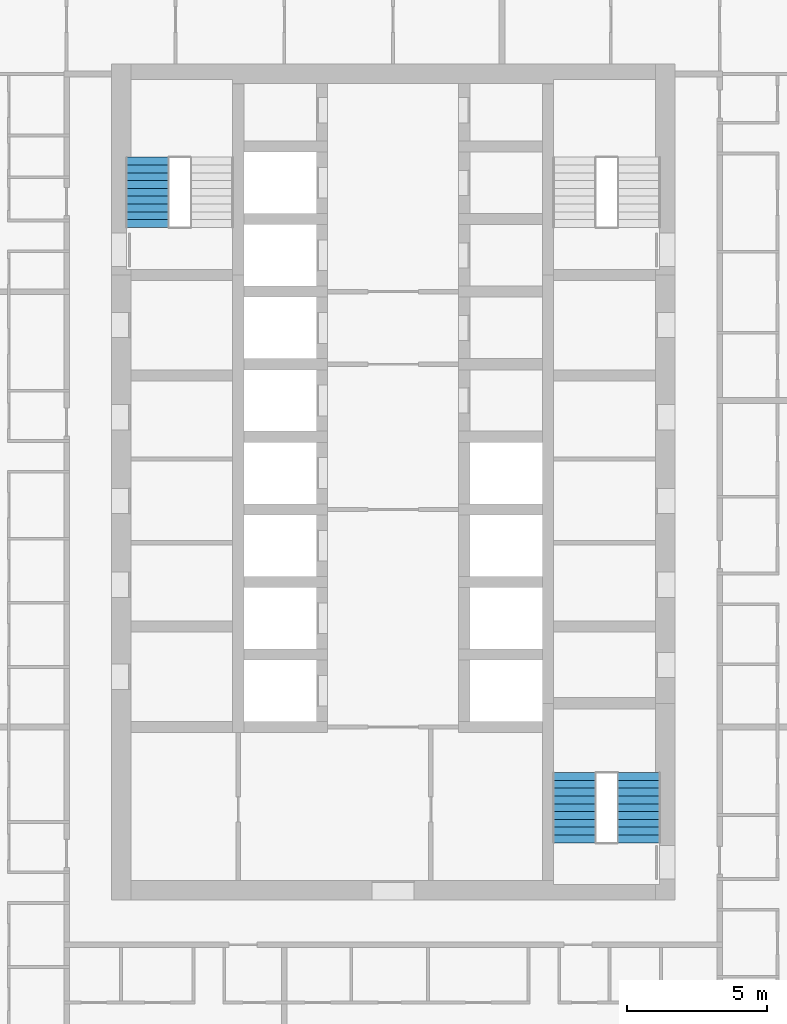
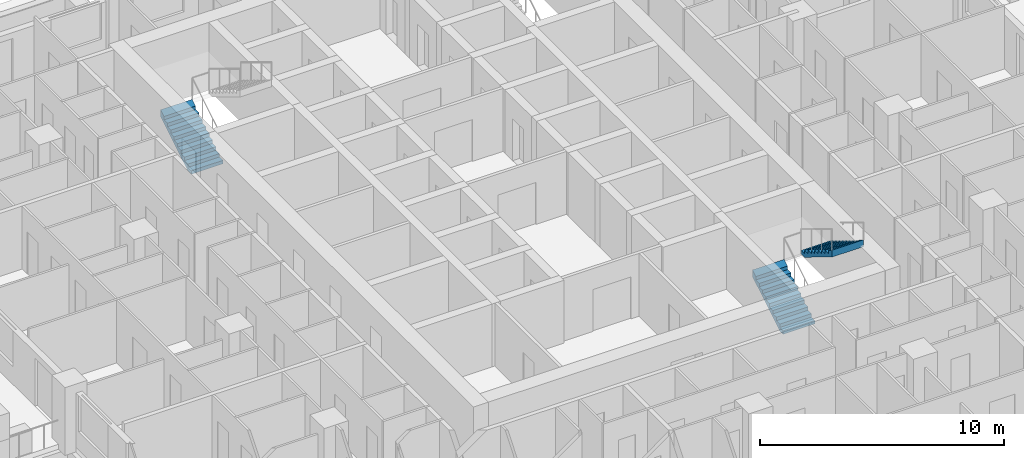
# One storey, part 15 of 19: 3 stair flights, 2 elements without a shape of their own.
"""IFC4 building model written with IfcOpenShell, lengths in metres."""

from ifc_helpers import new_model, si_unit, direction, frame, origin, place, context, subcontext, project, spatial, triangles, material, type_object, element, aggregate, save


model = new_model("IFC4")

# Units and contexts
model_context = context("Model", 3, precision=1e-05, world=origin(), true_north=direction((0.0, 1.0)))
body_context = subcontext(model_context, "Body", "Model", "MODEL_VIEW")
ifc_project = project(units=[si_unit("LENGTHUNIT", "METRE"), si_unit("AREAUNIT", "SQUARE_METRE"), si_unit("VOLUMEUNIT", "CUBIC_METRE"), si_unit("PLANEANGLEUNIT", "RADIAN"), si_unit("MASSUNIT", "GRAM", prefix="KILO")], contexts=[model_context])

# Site, building, storey
site_placement = place(None, origin())
site = spatial("IfcSite", under=ifc_project, at=site_placement, CompositionType="ELEMENT")
building_placement = place(site_placement, origin())
building = spatial("IfcBuilding", under=site, at=building_placement, Name="Ludao Terraces", CompositionType="ELEMENT")
storey_placement = place(building_placement, frame((0.0, 0.0, 36.5)))
storey = spatial("IfcBuildingStorey", under=building, at=storey_placement, Name="L09", CompositionType="ELEMENT", Elevation=36.5)

# Stair, stair flight
ifc_material = material(Name="Concrete C40", Category="concrete")
stair_type = type_object("IfcStairType", Name="INT Stair", PredefinedType="HALF_TURN_STAIR", material=ifc_material)
stair_1_placement = place(storey_placement, origin())
stair_1 = element("IfcStair", 1, at=stair_1_placement, inside=storey, type_object=stair_type, Name="EXIT STAIR 1", PredefinedType="HALF_TURN_STAIR")
stair_flight_type = type_object("IfcStairFlightType", Name="INT Stair flight", PredefinedType="STRAIGHT", material=ifc_material)
stair_flight_1_placement = place(storey_placement, frame((76.199951171875, 79.0, 0.0), z_axis=(0.0, 0.0, 1.0), x_axis=(0.0, 1.0, 0.0)))
stair_flight_1 = element("IfcStairFlight", 2, at=stair_flight_1_placement, type_object=stair_flight_type, Name="ST1 flight 1", NumberOfRisers=10, NumberOfTreads=9, PredefinedType="STRAIGHT", RiserHeight=0.17, TreadLength=0.28, context=body_context, shape_type="Tessellation", body=[
    triangles([(0.0, -0.75, 0.0), (0.0, -0.5, 0.0), (0.0, -0.25, 0.0), (0.0, 0.0, 0.0), (0.0, 0.25, 0.0), (0.0, 0.5, 0.0), (0.0, 0.75, 0.0), (0.0, -0.75, 0.169921875), (0.0, -0.5, 0.169921875), (0.0, -0.25, 0.169921875), (0.0, 0.0, 0.169921875), (0.0, 0.25, 0.169921875), (0.0, 0.5, 0.169921875), (0.0, 0.75, 0.169921875), (0.280029296875, -0.75, 0.169921875), (0.280029296875, -0.5, 0.169921875), (0.280029296875, -0.25, 0.169921875), (0.280029296875, 0.0, 0.169921875), (0.280029296875, 0.25, 0.169921875), (0.280029296875, 0.5, 0.169921875), (0.280029296875, 0.75, 0.169921875), (0.280029296875, -0.75, 0.340087890625), (0.280029296875, -0.5, 0.340087890625), (0.280029296875, -0.25, 0.340087890625), (0.280029296875, 0.0, 0.340087890625), (0.280029296875, 0.25, 0.340087890625), (0.280029296875, 0.5, 0.340087890625), (0.280029296875, 0.75, 0.340087890625), (0.56005859375, -0.75, 0.340087890625), (0.56005859375, -0.5, 0.340087890625), (0.56005859375, -0.25, 0.340087890625), (0.56005859375, 0.0, 0.340087890625), (0.56005859375, 0.25, 0.340087890625), (0.56005859375, 0.5, 0.340087890625), (0.56005859375, 0.75, 0.340087890625), (0.56005859375, -0.75, 0.510009765625), (0.56005859375, -0.5, 0.510009765625), (0.56005859375, -0.25, 0.510009765625), (0.56005859375, 0.0, 0.510009765625), (0.56005859375, 0.25, 0.510009765625), (0.56005859375, 0.5, 0.510009765625), (0.56005859375, 0.75, 0.510009765625), (0.840087890625, -0.75, 0.510009765625), (0.840087890625, -0.5, 0.510009765625), (0.840087890625, -0.25, 0.510009765625), (0.840087890625, 0.0, 0.510009765625), (0.840087890625, 0.25, 0.510009765625), (0.840087890625, 0.5, 0.510009765625), (0.840087890625, 0.75, 0.510009765625), (0.840087890625, -0.75, 0.679931640625), (0.840087890625, -0.5, 0.679931640625), (0.840087890625, -0.25, 0.679931640625), (0.840087890625, 0.0, 0.679931640625), (0.840087890625, 0.25, 0.679931640625), (0.840087890625, 0.5, 0.679931640625), (0.840087890625, 0.75, 0.679931640625), (1.1201171875, -0.75, 0.679931640625), (1.1201171875, -0.5, 0.679931640625), (1.1201171875, -0.25, 0.679931640625), (1.1201171875, 0.0, 0.679931640625), (1.1201171875, 0.25, 0.679931640625), (1.1201171875, 0.5, 0.679931640625), (1.1201171875, 0.75, 0.679931640625), (1.1201171875, -0.75, 0.85009765625), (1.1201171875, -0.5, 0.85009765625), (1.1201171875, -0.25, 0.85009765625), (1.1201171875, 0.0, 0.85009765625), (1.1201171875, 0.25, 0.85009765625), (1.1201171875, 0.5, 0.85009765625), (1.1201171875, 0.75, 0.85009765625), (1.39990234375, -0.75, 0.85009765625), (1.39990234375, -0.5, 0.85009765625), (1.39990234375, -0.25, 0.85009765625), (1.39990234375, 0.0, 0.85009765625), (1.39990234375, 0.25, 0.85009765625), (1.39990234375, 0.5, 0.85009765625), (1.39990234375, 0.75, 0.85009765625), (1.39990234375, -0.75, 1.02001953125), (1.39990234375, -0.5, 1.02001953125), (1.39990234375, -0.25, 1.02001953125), (1.39990234375, 0.0, 1.02001953125), (1.39990234375, 0.25, 1.02001953125), (1.39990234375, 0.5, 1.02001953125), (1.39990234375, 0.75, 1.02001953125), (1.679931640625, -0.75, 1.02001953125), (1.679931640625, -0.5, 1.02001953125), (1.679931640625, -0.25, 1.02001953125), (1.679931640625, 0.0, 1.02001953125), (1.679931640625, 0.25, 1.02001953125), (1.679931640625, 0.5, 1.02001953125), (1.679931640625, 0.75, 1.02001953125), (1.679931640625, -0.75, 1.18994140625), (1.679931640625, -0.5, 1.18994140625), (1.679931640625, -0.25, 1.18994140625), (1.679931640625, 0.0, 1.18994140625), (1.679931640625, 0.25, 1.18994140625), (1.679931640625, 0.5, 1.18994140625), (1.679931640625, 0.75, 1.18994140625), (1.9599609375, -0.75, 1.18994140625), (1.9599609375, -0.5, 1.18994140625), (1.9599609375, -0.25, 1.18994140625), (1.9599609375, 0.0, 1.18994140625), (1.9599609375, 0.25, 1.18994140625), (1.9599609375, 0.5, 1.18994140625), (1.9599609375, 0.75, 1.18994140625), (1.9599609375, -0.75, 1.360107421875), (1.9599609375, -0.5, 1.360107421875), (1.9599609375, -0.25, 1.360107421875), (1.9599609375, 0.0, 1.360107421875), (1.9599609375, 0.25, 1.360107421875), (1.9599609375, 0.5, 1.360107421875), (1.9599609375, 0.75, 1.360107421875), (2.239990234375, -0.75, 1.360107421875), (2.239990234375, -0.5, 1.360107421875), (2.239990234375, -0.25, 1.360107421875), (2.239990234375, 0.0, 1.360107421875), (2.239990234375, 0.25, 1.360107421875), (2.239990234375, 0.5, 1.360107421875), (2.239990234375, 0.75, 1.360107421875), (2.239990234375, -0.75, 1.530029296875), (2.239990234375, -0.5, 1.530029296875), (2.239990234375, -0.25, 1.530029296875), (2.239990234375, 0.0, 1.530029296875), (2.239990234375, 0.25, 1.530029296875), (2.239990234375, 0.5, 1.530029296875), (2.239990234375, 0.75, 1.530029296875), (2.52001953125, -0.75, 1.699951171875), (2.52001953125, -0.5, 1.699951171875), (2.52001953125, -0.25, 1.699951171875), (2.52001953125, 0.0, 1.699951171875), (2.52001953125, 0.25, 1.699951171875), (2.52001953125, 0.5, 1.699951171875), (2.52001953125, 0.75, 1.699951171875), (2.52001953125, -0.75, 1.354736328125), (2.52001953125, -0.5, 1.354736328125), (2.52001953125, -0.25, 1.354736328125), (2.52001953125, 0.0, 1.354736328125), (2.52001953125, 0.25, 1.354736328125), (2.52001953125, 0.5, 1.354736328125), (2.52001953125, 0.75, 1.354736328125), (0.288818359375, -0.75, 0.0), (0.288818359375, -0.5, 0.0), (0.288818359375, -0.25, 0.0), (0.288818359375, 0.0, 0.0), (0.288818359375, 0.25, 0.0), (0.288818359375, 0.5, 0.0), (0.288818359375, 0.75, 0.0)], [[1, 141, 134], [7, 140, 147], [134, 127, 120], [140, 126, 133], [134, 120, 113], [140, 119, 126], [134, 113, 106], [140, 112, 119], [134, 106, 99], [140, 105, 112], [99, 92, 85], [105, 91, 98], [134, 99, 85], [140, 91, 105], [85, 78, 71], [91, 77, 84], [134, 85, 71], [140, 77, 91], [71, 64, 57], [77, 63, 70], [134, 71, 57], [140, 63, 77], [57, 50, 43], [63, 49, 56], [134, 57, 43], [140, 49, 63], [43, 36, 29], [49, 35, 42], [134, 43, 29], [140, 35, 49], [29, 22, 15], [35, 21, 28], [134, 29, 15], [140, 21, 35], [1, 134, 15], [7, 21, 140], [15, 8, 1], [21, 7, 14], [1, 9, 2], [1, 8, 9], [2, 10, 3], [2, 9, 10], [3, 11, 4], [3, 10, 11], [4, 12, 5], [4, 11, 12], [5, 13, 6], [5, 12, 13], [6, 14, 7], [6, 13, 14], [8, 16, 9], [8, 15, 16], [9, 17, 10], [9, 16, 17], [10, 18, 11], [10, 17, 18], [11, 19, 12], [11, 18, 19], [12, 20, 13], [12, 19, 20], [13, 21, 14], [13, 20, 21], [15, 23, 16], [15, 22, 23], [16, 24, 17], [16, 23, 24], [17, 25, 18], [17, 24, 25], [18, 26, 19], [18, 25, 26], [19, 27, 20], [19, 26, 27], [20, 28, 21], [20, 27, 28], [22, 30, 23], [22, 29, 30], [23, 31, 24], [23, 30, 31], [24, 32, 25], [24, 31, 32], [25, 33, 26], [25, 32, 33], [26, 34, 27], [26, 33, 34], [27, 35, 28], [27, 34, 35], [29, 37, 30], [29, 36, 37], [30, 38, 31], [30, 37, 38], [31, 39, 32], [31, 38, 39], [32, 40, 33], [32, 39, 40], [33, 41, 34], [33, 40, 41], [34, 42, 35], [34, 41, 42], [36, 44, 37], [36, 43, 44], [37, 45, 38], [37, 44, 45], [38, 46, 39], [38, 45, 46], [39, 47, 40], [39, 46, 47], [40, 48, 41], [40, 47, 48], [41, 49, 42], [41, 48, 49], [43, 51, 44], [43, 50, 51], [44, 52, 45], [44, 51, 52], [45, 53, 46], [45, 52, 53], [46, 54, 47], [46, 53, 54], [47, 55, 48], [47, 54, 55], [48, 56, 49], [48, 55, 56], [50, 58, 51], [50, 57, 58], [51, 59, 52], [51, 58, 59], [52, 60, 53], [52, 59, 60], [53, 61, 54], [53, 60, 61], [54, 62, 55], [54, 61, 62], [55, 63, 56], [55, 62, 63], [57, 65, 58], [57, 64, 65], [58, 66, 59], [58, 65, 66], [59, 67, 60], [59, 66, 67], [60, 68, 61], [60, 67, 68], [61, 69, 62], [61, 68, 69], [62, 70, 63], [62, 69, 70], [64, 72, 65], [64, 71, 72], [65, 73, 66], [65, 72, 73], [66, 74, 67], [66, 73, 74], [67, 75, 68], [67, 74, 75], [68, 76, 69], [68, 75, 76], [69, 77, 70], [69, 76, 77], [71, 79, 72], [71, 78, 79], [72, 80, 73], [72, 79, 80], [73, 81, 74], [73, 80, 81], [74, 82, 75], [74, 81, 82], [75, 83, 76], [75, 82, 83], [76, 84, 77], [76, 83, 84], [78, 86, 79], [78, 85, 86], [79, 87, 80], [79, 86, 87], [80, 88, 81], [80, 87, 88], [81, 89, 82], [81, 88, 89], [82, 90, 83], [82, 89, 90], [83, 91, 84], [83, 90, 91], [85, 93, 86], [85, 92, 93], [86, 94, 87], [86, 93, 94], [87, 95, 88], [87, 94, 95], [88, 96, 89], [88, 95, 96], [89, 97, 90], [89, 96, 97], [90, 98, 91], [90, 97, 98], [92, 100, 93], [92, 99, 100], [93, 101, 94], [93, 100, 101], [94, 102, 95], [94, 101, 102], [95, 103, 96], [95, 102, 103], [96, 104, 97], [96, 103, 104], [97, 105, 98], [97, 104, 105], [99, 107, 100], [99, 106, 107], [100, 108, 101], [100, 107, 108], [101, 109, 102], [101, 108, 109], [102, 110, 103], [102, 109, 110], [103, 111, 104], [103, 110, 111], [104, 112, 105], [104, 111, 112], [106, 114, 107], [106, 113, 114], [107, 115, 108], [107, 114, 115], [108, 116, 109], [108, 115, 116], [109, 117, 110], [109, 116, 117], [110, 118, 111], [110, 117, 118], [111, 119, 112], [111, 118, 119], [113, 121, 114], [113, 120, 121], [114, 122, 115], [114, 121, 122], [115, 123, 116], [115, 122, 123], [116, 124, 117], [116, 123, 124], [117, 125, 118], [117, 124, 125], [118, 126, 119], [118, 125, 126], [120, 128, 121], [120, 127, 128], [121, 129, 122], [121, 128, 129], [122, 130, 123], [122, 129, 130], [123, 131, 124], [123, 130, 131], [124, 132, 125], [124, 131, 132], [125, 133, 126], [125, 132, 133], [127, 135, 128], [127, 134, 135], [128, 136, 129], [128, 135, 136], [129, 137, 130], [129, 136, 137], [130, 138, 131], [130, 137, 138], [131, 139, 132], [131, 138, 139], [132, 140, 133], [132, 139, 140], [134, 142, 135], [134, 141, 142], [135, 143, 136], [135, 142, 143], [136, 144, 137], [136, 143, 144], [137, 145, 138], [137, 144, 145], [138, 146, 139], [138, 145, 146], [139, 147, 140], [139, 146, 147], [141, 2, 142], [141, 1, 2], [142, 3, 143], [142, 2, 3], [143, 4, 144], [143, 3, 4], [144, 5, 145], [144, 4, 5], [145, 6, 146], [145, 5, 6], [146, 7, 147], [146, 6, 7]], closed=True),
])
aggregate(stair_1, [stair_flight_1])

# Stair, stair flights
stair_2_placement = place(storey_placement, origin())
stair_2 = element("IfcStair", 3, at=stair_2_placement, inside=storey, type_object=stair_type, Name="EXIT STAIR 3", PredefinedType="HALF_TURN_STAIR")
stair_flight_2_placement = place(storey_placement, frame((91.5, 56.949951171875, 0.0), z_axis=(0.0, 0.0, 1.0), x_axis=(0.0, 1.0, 0.0)))
stair_flight_2 = element("IfcStairFlight", 4, at=stair_flight_2_placement, type_object=stair_flight_type, Name="ST3 flight 1", NumberOfRisers=10, NumberOfTreads=9, PredefinedType="STRAIGHT", RiserHeight=0.17, TreadLength=0.28, context=body_context, shape_type="Tessellation", body=[
    triangles([(0.0, -0.75, 0.0), (0.0, -0.5, 0.0), (0.0, -0.25, 0.0), (0.0, 0.0, 0.0), (0.0, 0.25, 0.0), (0.0, 0.5, 0.0), (0.0, 0.75, 0.0), (0.0, -0.75, 0.169921875), (0.0, -0.5, 0.169921875), (0.0, -0.25, 0.169921875), (0.0, 0.0, 0.169921875), (0.0, 0.25, 0.169921875), (0.0, 0.5, 0.169921875), (0.0, 0.75, 0.169921875), (0.280029296875, -0.75, 0.169921875), (0.280029296875, -0.5, 0.169921875), (0.280029296875, -0.25, 0.169921875), (0.280029296875, 0.0, 0.169921875), (0.280029296875, 0.25, 0.169921875), (0.280029296875, 0.5, 0.169921875), (0.280029296875, 0.75, 0.169921875), (0.280029296875, -0.75, 0.340087890625), (0.280029296875, -0.5, 0.340087890625), (0.280029296875, -0.25, 0.340087890625), (0.280029296875, 0.0, 0.340087890625), (0.280029296875, 0.25, 0.340087890625), (0.280029296875, 0.5, 0.340087890625), (0.280029296875, 0.75, 0.340087890625), (0.56005859375, -0.75, 0.340087890625), (0.56005859375, -0.5, 0.340087890625), (0.56005859375, -0.25, 0.340087890625), (0.56005859375, 0.0, 0.340087890625), (0.56005859375, 0.25, 0.340087890625), (0.56005859375, 0.5, 0.340087890625), (0.56005859375, 0.75, 0.340087890625), (0.56005859375, -0.75, 0.510009765625), (0.56005859375, -0.5, 0.510009765625), (0.56005859375, -0.25, 0.510009765625), (0.56005859375, 0.0, 0.510009765625), (0.56005859375, 0.25, 0.510009765625), (0.56005859375, 0.5, 0.510009765625), (0.56005859375, 0.75, 0.510009765625), (0.840087890625, -0.75, 0.510009765625), (0.840087890625, -0.5, 0.510009765625), (0.840087890625, -0.25, 0.510009765625), (0.840087890625, 0.0, 0.510009765625), (0.840087890625, 0.25, 0.510009765625), (0.840087890625, 0.5, 0.510009765625), (0.840087890625, 0.75, 0.510009765625), (0.840087890625, -0.75, 0.679931640625), (0.840087890625, -0.5, 0.679931640625), (0.840087890625, -0.25, 0.679931640625), (0.840087890625, 0.0, 0.679931640625), (0.840087890625, 0.25, 0.679931640625), (0.840087890625, 0.5, 0.679931640625), (0.840087890625, 0.75, 0.679931640625), (1.1201171875, -0.75, 0.679931640625), (1.1201171875, -0.5, 0.679931640625), (1.1201171875, -0.25, 0.679931640625), (1.1201171875, 0.0, 0.679931640625), (1.1201171875, 0.25, 0.679931640625), (1.1201171875, 0.5, 0.679931640625), (1.1201171875, 0.75, 0.679931640625), (1.1201171875, -0.75, 0.85009765625), (1.1201171875, -0.5, 0.85009765625), (1.1201171875, -0.25, 0.85009765625), (1.1201171875, 0.0, 0.85009765625), (1.1201171875, 0.25, 0.85009765625), (1.1201171875, 0.5, 0.85009765625), (1.1201171875, 0.75, 0.85009765625), (1.39990234375, -0.75, 0.85009765625), (1.39990234375, -0.5, 0.85009765625), (1.39990234375, -0.25, 0.85009765625), (1.39990234375, 0.0, 0.85009765625), (1.39990234375, 0.25, 0.85009765625), (1.39990234375, 0.5, 0.85009765625), (1.39990234375, 0.75, 0.85009765625), (1.39990234375, -0.75, 1.02001953125), (1.39990234375, -0.5, 1.02001953125), (1.39990234375, -0.25, 1.02001953125), (1.39990234375, 0.0, 1.02001953125), (1.39990234375, 0.25, 1.02001953125), (1.39990234375, 0.5, 1.02001953125), (1.39990234375, 0.75, 1.02001953125), (1.679931640625, -0.75, 1.02001953125), (1.679931640625, -0.5, 1.02001953125), (1.679931640625, -0.25, 1.02001953125), (1.679931640625, 0.0, 1.02001953125), (1.679931640625, 0.25, 1.02001953125), (1.679931640625, 0.5, 1.02001953125), (1.679931640625, 0.75, 1.02001953125), (1.679931640625, -0.75, 1.18994140625), (1.679931640625, -0.5, 1.18994140625), (1.679931640625, -0.25, 1.18994140625), (1.679931640625, 0.0, 1.18994140625), (1.679931640625, 0.25, 1.18994140625), (1.679931640625, 0.5, 1.18994140625), (1.679931640625, 0.75, 1.18994140625), (1.9599609375, -0.75, 1.18994140625), (1.9599609375, -0.5, 1.18994140625), (1.9599609375, -0.25, 1.18994140625), (1.9599609375, 0.0, 1.18994140625), (1.9599609375, 0.25, 1.18994140625), (1.9599609375, 0.5, 1.18994140625), (1.9599609375, 0.75, 1.18994140625), (1.9599609375, -0.75, 1.360107421875), (1.9599609375, -0.5, 1.360107421875), (1.9599609375, -0.25, 1.360107421875), (1.9599609375, 0.0, 1.360107421875), (1.9599609375, 0.25, 1.360107421875), (1.9599609375, 0.5, 1.360107421875), (1.9599609375, 0.75, 1.360107421875), (2.239990234375, -0.75, 1.360107421875), (2.239990234375, -0.5, 1.360107421875), (2.239990234375, -0.25, 1.360107421875), (2.239990234375, 0.0, 1.360107421875), (2.239990234375, 0.25, 1.360107421875), (2.239990234375, 0.5, 1.360107421875), (2.239990234375, 0.75, 1.360107421875), (2.239990234375, -0.75, 1.530029296875), (2.239990234375, -0.5, 1.530029296875), (2.239990234375, -0.25, 1.530029296875), (2.239990234375, 0.0, 1.530029296875), (2.239990234375, 0.25, 1.530029296875), (2.239990234375, 0.5, 1.530029296875), (2.239990234375, 0.75, 1.530029296875), (2.52001953125, -0.75, 1.699951171875), (2.52001953125, -0.5, 1.699951171875), (2.52001953125, -0.25, 1.699951171875), (2.52001953125, 0.0, 1.699951171875), (2.52001953125, 0.25, 1.699951171875), (2.52001953125, 0.5, 1.699951171875), (2.52001953125, 0.75, 1.699951171875), (2.52001953125, -0.75, 1.354736328125), (2.52001953125, -0.5, 1.354736328125), (2.52001953125, -0.25, 1.354736328125), (2.52001953125, 0.0, 1.354736328125), (2.52001953125, 0.25, 1.354736328125), (2.52001953125, 0.5, 1.354736328125), (2.52001953125, 0.75, 1.354736328125), (0.288818359375, -0.75, 0.0), (0.288818359375, -0.5, 0.0), (0.288818359375, -0.25, 0.0), (0.288818359375, 0.0, 0.0), (0.288818359375, 0.25, 0.0), (0.288818359375, 0.5, 0.0), (0.288818359375, 0.75, 0.0)], [[1, 141, 134], [7, 140, 147], [134, 127, 120], [140, 126, 133], [134, 120, 113], [140, 119, 126], [134, 113, 106], [140, 112, 119], [134, 106, 99], [140, 105, 112], [99, 92, 85], [105, 91, 98], [134, 99, 85], [140, 91, 105], [85, 78, 71], [91, 77, 84], [134, 85, 71], [140, 77, 91], [71, 64, 57], [77, 63, 70], [134, 71, 57], [140, 63, 77], [57, 50, 43], [63, 49, 56], [134, 57, 43], [140, 49, 63], [43, 36, 29], [49, 35, 42], [134, 43, 29], [140, 35, 49], [29, 22, 15], [35, 21, 28], [134, 29, 15], [140, 21, 35], [1, 134, 15], [7, 21, 140], [15, 8, 1], [21, 7, 14], [1, 9, 2], [1, 8, 9], [2, 10, 3], [2, 9, 10], [3, 11, 4], [3, 10, 11], [4, 12, 5], [4, 11, 12], [5, 13, 6], [5, 12, 13], [6, 14, 7], [6, 13, 14], [8, 16, 9], [8, 15, 16], [9, 17, 10], [9, 16, 17], [10, 18, 11], [10, 17, 18], [11, 19, 12], [11, 18, 19], [12, 20, 13], [12, 19, 20], [13, 21, 14], [13, 20, 21], [15, 23, 16], [15, 22, 23], [16, 24, 17], [16, 23, 24], [17, 25, 18], [17, 24, 25], [18, 26, 19], [18, 25, 26], [19, 27, 20], [19, 26, 27], [20, 28, 21], [20, 27, 28], [22, 30, 23], [22, 29, 30], [23, 31, 24], [23, 30, 31], [24, 32, 25], [24, 31, 32], [25, 33, 26], [25, 32, 33], [26, 34, 27], [26, 33, 34], [27, 35, 28], [27, 34, 35], [29, 37, 30], [29, 36, 37], [30, 38, 31], [30, 37, 38], [31, 39, 32], [31, 38, 39], [32, 40, 33], [32, 39, 40], [33, 41, 34], [33, 40, 41], [34, 42, 35], [34, 41, 42], [36, 44, 37], [36, 43, 44], [37, 45, 38], [37, 44, 45], [38, 46, 39], [38, 45, 46], [39, 47, 40], [39, 46, 47], [40, 48, 41], [40, 47, 48], [41, 49, 42], [41, 48, 49], [43, 51, 44], [43, 50, 51], [44, 52, 45], [44, 51, 52], [45, 53, 46], [45, 52, 53], [46, 54, 47], [46, 53, 54], [47, 55, 48], [47, 54, 55], [48, 56, 49], [48, 55, 56], [50, 58, 51], [50, 57, 58], [51, 59, 52], [51, 58, 59], [52, 60, 53], [52, 59, 60], [53, 61, 54], [53, 60, 61], [54, 62, 55], [54, 61, 62], [55, 63, 56], [55, 62, 63], [57, 65, 58], [57, 64, 65], [58, 66, 59], [58, 65, 66], [59, 67, 60], [59, 66, 67], [60, 68, 61], [60, 67, 68], [61, 69, 62], [61, 68, 69], [62, 70, 63], [62, 69, 70], [64, 72, 65], [64, 71, 72], [65, 73, 66], [65, 72, 73], [66, 74, 67], [66, 73, 74], [67, 75, 68], [67, 74, 75], [68, 76, 69], [68, 75, 76], [69, 77, 70], [69, 76, 77], [71, 79, 72], [71, 78, 79], [72, 80, 73], [72, 79, 80], [73, 81, 74], [73, 80, 81], [74, 82, 75], [74, 81, 82], [75, 83, 76], [75, 82, 83], [76, 84, 77], [76, 83, 84], [78, 86, 79], [78, 85, 86], [79, 87, 80], [79, 86, 87], [80, 88, 81], [80, 87, 88], [81, 89, 82], [81, 88, 89], [82, 90, 83], [82, 89, 90], [83, 91, 84], [83, 90, 91], [85, 93, 86], [85, 92, 93], [86, 94, 87], [86, 93, 94], [87, 95, 88], [87, 94, 95], [88, 96, 89], [88, 95, 96], [89, 97, 90], [89, 96, 97], [90, 98, 91], [90, 97, 98], [92, 100, 93], [92, 99, 100], [93, 101, 94], [93, 100, 101], [94, 102, 95], [94, 101, 102], [95, 103, 96], [95, 102, 103], [96, 104, 97], [96, 103, 104], [97, 105, 98], [97, 104, 105], [99, 107, 100], [99, 106, 107], [100, 108, 101], [100, 107, 108], [101, 109, 102], [101, 108, 109], [102, 110, 103], [102, 109, 110], [103, 111, 104], [103, 110, 111], [104, 112, 105], [104, 111, 112], [106, 114, 107], [106, 113, 114], [107, 115, 108], [107, 114, 115], [108, 116, 109], [108, 115, 116], [109, 117, 110], [109, 116, 117], [110, 118, 111], [110, 117, 118], [111, 119, 112], [111, 118, 119], [113, 121, 114], [113, 120, 121], [114, 122, 115], [114, 121, 122], [115, 123, 116], [115, 122, 123], [116, 124, 117], [116, 123, 124], [117, 125, 118], [117, 124, 125], [118, 126, 119], [118, 125, 126], [120, 128, 121], [120, 127, 128], [121, 129, 122], [121, 128, 129], [122, 130, 123], [122, 129, 130], [123, 131, 124], [123, 130, 131], [124, 132, 125], [124, 131, 132], [125, 133, 126], [125, 132, 133], [127, 135, 128], [127, 134, 135], [128, 136, 129], [128, 135, 136], [129, 137, 130], [129, 136, 137], [130, 138, 131], [130, 137, 138], [131, 139, 132], [131, 138, 139], [132, 140, 133], [132, 139, 140], [134, 142, 135], [134, 141, 142], [135, 143, 136], [135, 142, 143], [136, 144, 137], [136, 143, 144], [137, 145, 138], [137, 144, 145], [138, 146, 139], [138, 145, 146], [139, 147, 140], [139, 146, 147], [141, 2, 142], [141, 1, 2], [142, 3, 143], [142, 2, 3], [143, 4, 144], [143, 3, 4], [144, 5, 145], [144, 4, 5], [145, 6, 146], [145, 5, 6], [146, 7, 147], [146, 6, 7]], closed=True),
])
stair_flight_3_placement = place(storey_placement, frame((93.800048828125, 59.469970703125, 1.699951171875), z_axis=(0.0, 0.0, 1.0), x_axis=(0.0, -1.0, 0.0)))
stair_flight_3 = element("IfcStairFlight", 5, at=stair_flight_3_placement, type_object=stair_flight_type, Name="ST3 flight 2", NumberOfRisers=10, NumberOfTreads=9, PredefinedType="STRAIGHT", RiserHeight=0.17, TreadLength=0.28, context=body_context, shape_type="Tessellation", body=[
    triangles([(0.0, -0.75, 0.0), (0.0, -0.5, 0.0), (0.0, -0.25, 0.0), (0.0, 0.0, 0.0), (0.0, 0.25, 0.0), (0.0, 0.5, 0.0), (0.0, 0.75, 0.0), (0.0, -0.75, 0.169921875), (0.0, -0.5, 0.169921875), (0.0, -0.25, 0.169921875), (0.0, 0.0, 0.169921875), (0.0, 0.25, 0.169921875), (0.0, 0.5, 0.169921875), (0.0, 0.75, 0.169921875), (0.280029296875, -0.75, 0.169921875), (0.280029296875, -0.5, 0.169921875), (0.280029296875, -0.25, 0.169921875), (0.280029296875, 0.0, 0.169921875), (0.280029296875, 0.25, 0.169921875), (0.280029296875, 0.5, 0.169921875), (0.280029296875, 0.75, 0.169921875), (0.280029296875, -0.75, 0.340087890625), (0.280029296875, -0.5, 0.340087890625), (0.280029296875, -0.25, 0.340087890625), (0.280029296875, 0.0, 0.340087890625), (0.280029296875, 0.25, 0.340087890625), (0.280029296875, 0.5, 0.340087890625), (0.280029296875, 0.75, 0.340087890625), (0.56005859375, -0.75, 0.340087890625), (0.56005859375, -0.5, 0.340087890625), (0.56005859375, -0.25, 0.340087890625), (0.56005859375, 0.0, 0.340087890625), (0.56005859375, 0.25, 0.340087890625), (0.56005859375, 0.5, 0.340087890625), (0.56005859375, 0.75, 0.340087890625), (0.56005859375, -0.75, 0.510009765625), (0.56005859375, -0.5, 0.510009765625), (0.56005859375, -0.25, 0.510009765625), (0.56005859375, 0.0, 0.510009765625), (0.56005859375, 0.25, 0.510009765625), (0.56005859375, 0.5, 0.510009765625), (0.56005859375, 0.75, 0.510009765625), (0.840087890625, -0.75, 0.510009765625), (0.840087890625, -0.5, 0.510009765625), (0.840087890625, -0.25, 0.510009765625), (0.840087890625, 0.0, 0.510009765625), (0.840087890625, 0.25, 0.510009765625), (0.840087890625, 0.5, 0.510009765625), (0.840087890625, 0.75, 0.510009765625), (0.840087890625, -0.75, 0.679931640625), (0.840087890625, -0.5, 0.679931640625), (0.840087890625, -0.25, 0.679931640625), (0.840087890625, 0.0, 0.679931640625), (0.840087890625, 0.25, 0.679931640625), (0.840087890625, 0.5, 0.679931640625), (0.840087890625, 0.75, 0.679931640625), (1.1201171875, -0.75, 0.679931640625), (1.1201171875, -0.5, 0.679931640625), (1.1201171875, -0.25, 0.679931640625), (1.1201171875, 0.0, 0.679931640625), (1.1201171875, 0.25, 0.679931640625), (1.1201171875, 0.5, 0.679931640625), (1.1201171875, 0.75, 0.679931640625), (1.1201171875, -0.75, 0.85009765625), (1.1201171875, -0.5, 0.85009765625), (1.1201171875, -0.25, 0.85009765625), (1.1201171875, 0.0, 0.85009765625), (1.1201171875, 0.25, 0.85009765625), (1.1201171875, 0.5, 0.85009765625), (1.1201171875, 0.75, 0.85009765625), (1.39990234375, -0.75, 0.85009765625), (1.39990234375, -0.5, 0.85009765625), (1.39990234375, -0.25, 0.85009765625), (1.39990234375, 0.0, 0.85009765625), (1.39990234375, 0.25, 0.85009765625), (1.39990234375, 0.5, 0.85009765625), (1.39990234375, 0.75, 0.85009765625), (1.39990234375, -0.75, 1.02001953125), (1.39990234375, -0.5, 1.02001953125), (1.39990234375, -0.25, 1.02001953125), (1.39990234375, 0.0, 1.02001953125), (1.39990234375, 0.25, 1.02001953125), (1.39990234375, 0.5, 1.02001953125), (1.39990234375, 0.75, 1.02001953125), (1.679931640625, -0.75, 1.02001953125), (1.679931640625, -0.5, 1.02001953125), (1.679931640625, -0.25, 1.02001953125), (1.679931640625, 0.0, 1.02001953125), (1.679931640625, 0.25, 1.02001953125), (1.679931640625, 0.5, 1.02001953125), (1.679931640625, 0.75, 1.02001953125), (1.679931640625, -0.75, 1.18994140625), (1.679931640625, -0.5, 1.18994140625), (1.679931640625, -0.25, 1.18994140625), (1.679931640625, 0.0, 1.18994140625), (1.679931640625, 0.25, 1.18994140625), (1.679931640625, 0.5, 1.18994140625), (1.679931640625, 0.75, 1.18994140625), (1.9599609375, -0.75, 1.18994140625), (1.9599609375, -0.5, 1.18994140625), (1.9599609375, -0.25, 1.18994140625), (1.9599609375, 0.0, 1.18994140625), (1.9599609375, 0.25, 1.18994140625), (1.9599609375, 0.5, 1.18994140625), (1.9599609375, 0.75, 1.18994140625), (1.9599609375, -0.75, 1.360107421875), (1.9599609375, -0.5, 1.360107421875), (1.9599609375, -0.25, 1.360107421875), (1.9599609375, 0.0, 1.360107421875), (1.9599609375, 0.25, 1.360107421875), (1.9599609375, 0.5, 1.360107421875), (1.9599609375, 0.75, 1.360107421875), (2.239990234375, -0.75, 1.360107421875), (2.239990234375, -0.5, 1.360107421875), (2.239990234375, -0.25, 1.360107421875), (2.239990234375, 0.0, 1.360107421875), (2.239990234375, 0.25, 1.360107421875), (2.239990234375, 0.5, 1.360107421875), (2.239990234375, 0.75, 1.360107421875), (2.239990234375, -0.75, 1.530029296875), (2.239990234375, -0.5, 1.530029296875), (2.239990234375, -0.25, 1.530029296875), (2.239990234375, 0.0, 1.530029296875), (2.239990234375, 0.25, 1.530029296875), (2.239990234375, 0.5, 1.530029296875), (2.239990234375, 0.75, 1.530029296875), (2.52001953125, -0.75, 1.699951171875), (2.52001953125, -0.5, 1.699951171875), (2.52001953125, -0.25, 1.699951171875), (2.52001953125, 0.0, 1.699951171875), (2.52001953125, 0.25, 1.699951171875), (2.52001953125, 0.5, 1.699951171875), (2.52001953125, 0.75, 1.699951171875), (2.52001953125, -0.75, 1.354736328125), (2.52001953125, -0.5, 1.354736328125), (2.52001953125, -0.25, 1.354736328125), (2.52001953125, 0.0, 1.354736328125), (2.52001953125, 0.25, 1.354736328125), (2.52001953125, 0.5, 1.354736328125), (2.52001953125, 0.75, 1.354736328125), (0.288818359375, -0.75, 0.0), (0.288818359375, -0.5, 0.0), (0.288818359375, -0.25, 0.0), (0.288818359375, 0.0, 0.0), (0.288818359375, 0.25, 0.0), (0.288818359375, 0.5, 0.0), (0.288818359375, 0.75, 0.0)], [[1, 141, 134], [7, 140, 147], [134, 127, 120], [140, 126, 133], [134, 120, 113], [140, 119, 126], [134, 113, 106], [140, 112, 119], [134, 106, 99], [140, 105, 112], [99, 92, 85], [105, 91, 98], [134, 99, 85], [140, 91, 105], [85, 78, 71], [91, 77, 84], [134, 85, 71], [140, 77, 91], [71, 64, 57], [77, 63, 70], [134, 71, 57], [140, 63, 77], [57, 50, 43], [63, 49, 56], [134, 57, 43], [140, 49, 63], [43, 36, 29], [49, 35, 42], [134, 43, 29], [140, 35, 49], [29, 22, 15], [35, 21, 28], [134, 29, 15], [140, 21, 35], [1, 134, 15], [7, 21, 140], [15, 8, 1], [21, 7, 14], [1, 9, 2], [1, 8, 9], [2, 10, 3], [2, 9, 10], [3, 11, 4], [3, 10, 11], [4, 12, 5], [4, 11, 12], [5, 13, 6], [5, 12, 13], [6, 14, 7], [6, 13, 14], [8, 16, 9], [8, 15, 16], [9, 17, 10], [9, 16, 17], [10, 18, 11], [10, 17, 18], [11, 19, 12], [11, 18, 19], [12, 20, 13], [12, 19, 20], [13, 21, 14], [13, 20, 21], [15, 23, 16], [15, 22, 23], [16, 24, 17], [16, 23, 24], [17, 25, 18], [17, 24, 25], [18, 26, 19], [18, 25, 26], [19, 27, 20], [19, 26, 27], [20, 28, 21], [20, 27, 28], [22, 30, 23], [22, 29, 30], [23, 31, 24], [23, 30, 31], [24, 32, 25], [24, 31, 32], [25, 33, 26], [25, 32, 33], [26, 34, 27], [26, 33, 34], [27, 35, 28], [27, 34, 35], [29, 37, 30], [29, 36, 37], [30, 38, 31], [30, 37, 38], [31, 39, 32], [31, 38, 39], [32, 40, 33], [32, 39, 40], [33, 41, 34], [33, 40, 41], [34, 42, 35], [34, 41, 42], [36, 44, 37], [36, 43, 44], [37, 45, 38], [37, 44, 45], [38, 46, 39], [38, 45, 46], [39, 47, 40], [39, 46, 47], [40, 48, 41], [40, 47, 48], [41, 49, 42], [41, 48, 49], [43, 51, 44], [43, 50, 51], [44, 52, 45], [44, 51, 52], [45, 53, 46], [45, 52, 53], [46, 54, 47], [46, 53, 54], [47, 55, 48], [47, 54, 55], [48, 56, 49], [48, 55, 56], [50, 58, 51], [50, 57, 58], [51, 59, 52], [51, 58, 59], [52, 60, 53], [52, 59, 60], [53, 61, 54], [53, 60, 61], [54, 62, 55], [54, 61, 62], [55, 63, 56], [55, 62, 63], [57, 65, 58], [57, 64, 65], [58, 66, 59], [58, 65, 66], [59, 67, 60], [59, 66, 67], [60, 68, 61], [60, 67, 68], [61, 69, 62], [61, 68, 69], [62, 70, 63], [62, 69, 70], [64, 72, 65], [64, 71, 72], [65, 73, 66], [65, 72, 73], [66, 74, 67], [66, 73, 74], [67, 75, 68], [67, 74, 75], [68, 76, 69], [68, 75, 76], [69, 77, 70], [69, 76, 77], [71, 79, 72], [71, 78, 79], [72, 80, 73], [72, 79, 80], [73, 81, 74], [73, 80, 81], [74, 82, 75], [74, 81, 82], [75, 83, 76], [75, 82, 83], [76, 84, 77], [76, 83, 84], [78, 86, 79], [78, 85, 86], [79, 87, 80], [79, 86, 87], [80, 88, 81], [80, 87, 88], [81, 89, 82], [81, 88, 89], [82, 90, 83], [82, 89, 90], [83, 91, 84], [83, 90, 91], [85, 93, 86], [85, 92, 93], [86, 94, 87], [86, 93, 94], [87, 95, 88], [87, 94, 95], [88, 96, 89], [88, 95, 96], [89, 97, 90], [89, 96, 97], [90, 98, 91], [90, 97, 98], [92, 100, 93], [92, 99, 100], [93, 101, 94], [93, 100, 101], [94, 102, 95], [94, 101, 102], [95, 103, 96], [95, 102, 103], [96, 104, 97], [96, 103, 104], [97, 105, 98], [97, 104, 105], [99, 107, 100], [99, 106, 107], [100, 108, 101], [100, 107, 108], [101, 109, 102], [101, 108, 109], [102, 110, 103], [102, 109, 110], [103, 111, 104], [103, 110, 111], [104, 112, 105], [104, 111, 112], [106, 114, 107], [106, 113, 114], [107, 115, 108], [107, 114, 115], [108, 116, 109], [108, 115, 116], [109, 117, 110], [109, 116, 117], [110, 118, 111], [110, 117, 118], [111, 119, 112], [111, 118, 119], [113, 121, 114], [113, 120, 121], [114, 122, 115], [114, 121, 122], [115, 123, 116], [115, 122, 123], [116, 124, 117], [116, 123, 124], [117, 125, 118], [117, 124, 125], [118, 126, 119], [118, 125, 126], [120, 128, 121], [120, 127, 128], [121, 129, 122], [121, 128, 129], [122, 130, 123], [122, 129, 130], [123, 131, 124], [123, 130, 131], [124, 132, 125], [124, 131, 132], [125, 133, 126], [125, 132, 133], [127, 135, 128], [127, 134, 135], [128, 136, 129], [128, 135, 136], [129, 137, 130], [129, 136, 137], [130, 138, 131], [130, 137, 138], [131, 139, 132], [131, 138, 139], [132, 140, 133], [132, 139, 140], [134, 142, 135], [134, 141, 142], [135, 143, 136], [135, 142, 143], [136, 144, 137], [136, 143, 144], [137, 145, 138], [137, 144, 145], [138, 146, 139], [138, 145, 146], [139, 147, 140], [139, 146, 147], [141, 2, 142], [141, 1, 2], [142, 3, 143], [142, 2, 3], [143, 4, 144], [143, 3, 4], [144, 5, 145], [144, 4, 5], [145, 6, 146], [145, 5, 6], [146, 7, 147], [146, 6, 7]], closed=True),
])
aggregate(stair_2, [stair_flight_2, stair_flight_3])

save(model, "model.ifc")
